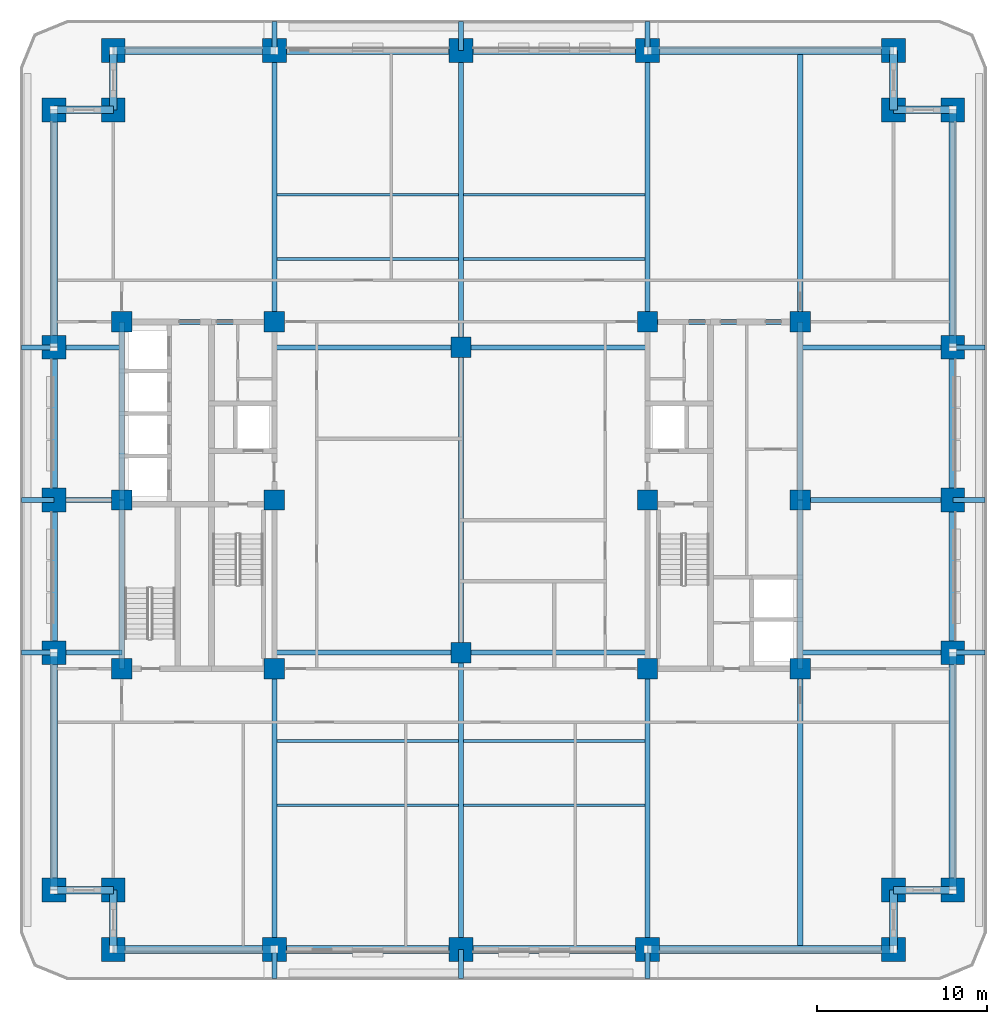
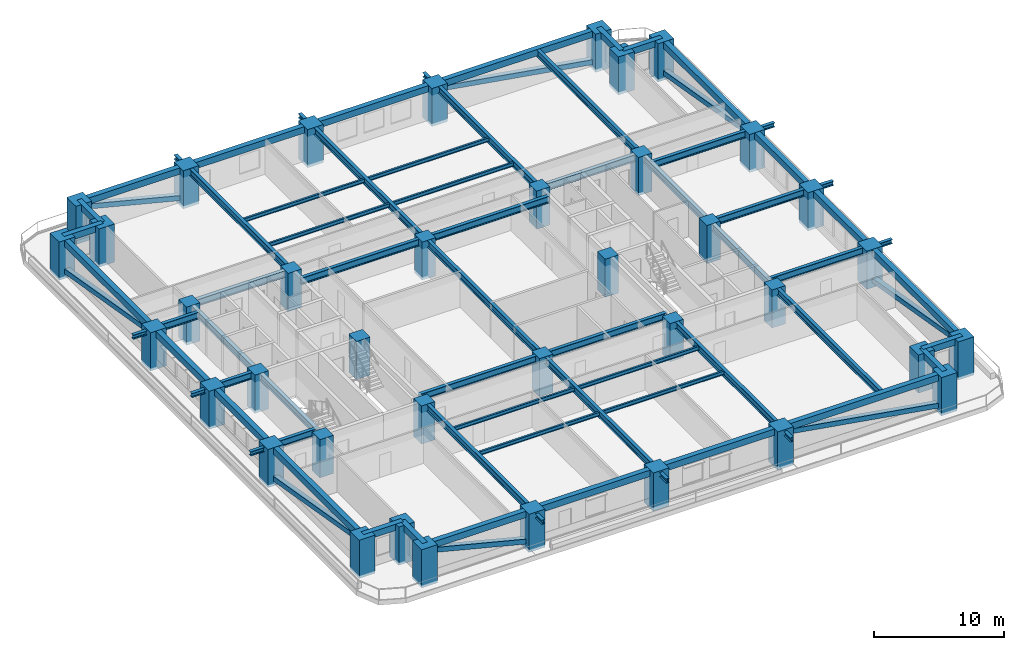
# One storey, part 1 of 14: 69 beams, 38 columns, 8 members.
"""IFC4 building model written with IfcOpenShell, lengths in metres."""

from ifc_helpers import new_model, si_unit, direction, frame, origin, origin_2d, place, context, subcontext, project, spatial, rectangle, hollow_rectangle, i_section, extrude, material, material_profile, profile_set, type_object, element, save


model = new_model("IFC4")

# Units and contexts
model_context = context("Model", 3, precision=1e-05, world=origin(), true_north=direction((0.0, 1.0)))
body_context = subcontext(model_context, "Body", "Model", "MODEL_VIEW")
ifc_project = project(units=[si_unit("LENGTHUNIT", "METRE"), si_unit("AREAUNIT", "SQUARE_METRE"), si_unit("VOLUMEUNIT", "CUBIC_METRE"), si_unit("PLANEANGLEUNIT", "RADIAN"), si_unit("MASSUNIT", "GRAM", prefix="KILO")], contexts=[model_context])

# Site, building, storey
site_placement = place(None, origin())
site = spatial("IfcSite", under=ifc_project, at=site_placement, CompositionType="ELEMENT")
building_placement = place(site_placement, origin())
building = spatial("IfcBuilding", under=site, at=building_placement, Name="Zulmaris Gate Convention Tower", CompositionType="ELEMENT")
storey_placement = place(building_placement, frame((0.0, 0.0, 41.47998046875)))
storey = spatial("IfcBuildingStorey", under=building, at=storey_placement, Name="L09", CompositionType="ELEMENT", Elevation=41.47998046875)

# Columns
ifc_material_1 = material(Name="Concrete C70/85", Category="concrete")
ifc_material_profile_1 = material_profile(ifc_material_1, rectangle(XDim=1.199951171875, YDim=1.199951171875, at=origin_2d()), Name="RC COL 1200x1200")
ifc_profile_set_1 = profile_set([ifc_material_profile_1], Name="Concrete C70/85")
column_type_1 = type_object("IfcColumnType", Name="COL-RC1200", PredefinedType="COLUMN", material=ifc_profile_set_1)
for number, where, z_axis, x_axis, name in (
    (1, (-20.0, -9.949951171875, -0.25), (0.0, 0.0, 1.0), (1.0, 0.0, 0.0), "L09 Column IN--20.00_-9.95"),
    (2, (-20.0, 10.5, -0.25), (0.0, 0.0, 1.0), (1.0, 0.0, 0.0), "L09 Column IN--20.00_+10.50"),
    (3, (-11.0, -9.949951171875, -0.25), (0.0, 0.0, 1.0), (1.0, 0.0, 0.0), "L09 Column IN--11.00_-9.95"),
    (4, (-11.0, 0.0, -0.25), (0.0, 0.0, 1.0), (1.0, 0.0, 0.0), "L09 Column IN--11.00_+0.00"),
    (5, (-11.0, 10.5, -0.25), (0.0, 0.0, 1.0), (1.0, 0.0, 0.0), "L09 Column IN--11.00_+10.50"),
    (6, (11.0, -9.949951171875, -0.25), (0.0, 0.0, 1.0), (1.0, 0.0, 0.0), "L09 Column IN-+11.00_-9.95"),
    (7, (11.0, 0.0, -0.25), (0.0, 0.0, 1.0), (1.0, 0.0, 0.0), "L09 Column IN-+11.00_+0.00"),
    (8, (11.0, 10.5, -0.25), (0.0, 0.0, 1.0), (1.0, 0.0, 0.0), "L09 Column IN-+11.00_+10.50"),
    (9, (20.0, -9.949951171875, -0.25), (0.0, 0.0, 1.0), (1.0, 0.0, 0.0), "L09 Column IN-+20.00_-9.95"),
    (10, (20.0, 10.5, -0.25), (0.0, 0.0, 1.0), (1.0, 0.0, 0.0), "L09 Column IN-+20.00_+10.50"),
    (11, (0.0, -9.0, -0.25), (0.0, 0.0, 1.0), (1.0, 0.0, 0.0), "L09 Column IN-+0.00_-9.00"),
    (12, (0.0, 9.0, -0.25), (0.0, 0.0, 1.0), (1.0, 0.0, 0.0), "L09 Column IN-+0.00_+9.00"),
    (13, (-20.0, 0.0, -0.25), (0.0, 0.0, 1.0), (1.0, 0.0, 0.0), "L09 Column IN--20.00_+0.00"),
    (14, (20.0, 0.0, -0.25), (0.0, 0.0, 1.0), (1.0, 0.0, 0.0), "L09 Column IN-+20.00_+0.00"),
):
    element("IfcColumn", number, at=place(storey_placement, frame(where, z_axis=z_axis, x_axis=x_axis)), inside=storey, type_object=column_type_1, Name=name, PredefinedType="COLUMN", context=body_context, shape_type="SweptSolid", body=[
        extrude(rectangle(XDim=1.199951171875, YDim=1.199951171875, at=origin_2d()), origin(), (0.0, 0.0, 1.0), 3.570068359375),
    ])
ifc_material_2 = material(Name="Concrete C80/95", Category="concrete")
ifc_material_profile_2 = material_profile(ifc_material_2, rectangle(XDim=1.39990234375, YDim=1.39990234375, at=origin_2d()), Name="RC COL 1400x1400")
ifc_profile_set_2 = profile_set([ifc_material_profile_2], Name="Concrete C80/95")
column_type_2 = type_object("IfcColumnType", Name="COL-RC1400", PredefinedType="COLUMN", material=ifc_profile_set_2)
for number, where, z_axis, x_axis, name in (
    (15, (-20.5, -26.5, -0.25), (0.0, 0.0, 1.0), (1.0, 0.0, 0.0), "L09 Column PT--20.50_-26.50"),
    (16, (-11.0, -26.5, -0.25), (0.0, 0.0, 1.0), (1.0, 0.0, 0.0), "L09 Column PT--11.00_-26.50"),
    (17, (0.0, -26.5, -0.25), (0.0, 0.0, 1.0), (1.0, 0.0, 0.0), "L09 Column PT-+0.00_-26.50"),
    (18, (11.0, -26.5, -0.25), (0.0, 0.0, 1.0), (1.0, 0.0, 0.0), "L09 Column PT-+11.00_-26.50"),
    (19, (25.5, -26.5, -0.25), (0.0, 0.0, 1.0), (1.0, 0.0, 0.0), "L09 Column PT-+25.50_-26.50"),
    (20, (-20.5, 26.5, -0.25), (0.0, 0.0, 1.0), (1.0, 0.0, 0.0), "L09 Column PT--20.50_+26.50"),
    (21, (-11.0, 26.5, -0.25), (0.0, 0.0, 1.0), (1.0, 0.0, 0.0), "L09 Column PT--11.00_+26.50"),
    (22, (0.0, 26.5, -0.25), (0.0, 0.0, 1.0), (1.0, 0.0, 0.0), "L09 Column PT-+0.00_+26.50"),
    (23, (11.0, 26.5, -0.25), (0.0, 0.0, 1.0), (1.0, 0.0, 0.0), "L09 Column PT-+11.00_+26.50"),
    (24, (25.5, 26.5, -0.25), (0.0, 0.0, 1.0), (1.0, 0.0, 0.0), "L09 Column PT-+25.50_+26.50"),
    (25, (-24.0, -23.0, -0.25), (0.0, 0.0, 1.0), (1.0, 0.0, 0.0), "L09 Column PT--24.00_-23.00"),
    (26, (-24.0, -9.0, -0.25), (0.0, 0.0, 1.0), (1.0, 0.0, 0.0), "L09 Column PT--24.00_-9.00"),
    (27, (-24.0, 0.0, -0.25), (0.0, 0.0, 1.0), (1.0, 0.0, 0.0), "L09 Column PT--24.00_+0.00"),
    (28, (-24.0, 9.0, -0.25), (0.0, 0.0, 1.0), (1.0, 0.0, 0.0), "L09 Column PT--24.00_+9.00"),
    (29, (-24.0, 23.0, -0.25), (0.0, 0.0, 1.0), (1.0, 0.0, 0.0), "L09 Column PT--24.00_+23.00"),
    (30, (29.0, -23.0, -0.25), (0.0, 0.0, 1.0), (1.0, 0.0, 0.0), "L09 Column PT-+29.00_-23.00"),
    (31, (29.0, -9.0, -0.25), (0.0, 0.0, 1.0), (1.0, 0.0, 0.0), "L09 Column PT-+29.00_-9.00"),
    (32, (29.0, 0.0, -0.25), (0.0, 0.0, 1.0), (1.0, 0.0, 0.0), "L09 Column PT-+29.00_+0.00"),
    (33, (29.0, 9.0, -0.25), (0.0, 0.0, 1.0), (1.0, 0.0, 0.0), "L09 Column PT-+29.00_+9.00"),
    (34, (29.0, 23.0, -0.25), (0.0, 0.0, 1.0), (1.0, 0.0, 0.0), "L09 Column PT-+29.00_+23.00"),
    (35, (-20.5, -23.0, -0.25), (0.0, 0.0, 1.0), (1.0, 0.0, 0.0), "L09 Column PT--20.50_-23.00"),
    (36, (25.5, -23.0, -0.25), (0.0, 0.0, 1.0), (1.0, 0.0, 0.0), "L09 Column PT-+25.50_-23.00"),
    (37, (25.5, 23.0, -0.25), (0.0, 0.0, 1.0), (1.0, 0.0, 0.0), "L09 Column PT-+25.50_+23.00"),
    (38, (-20.5, 23.0, -0.25), (0.0, 0.0, 1.0), (1.0, 0.0, 0.0), "L09 Column PT--20.50_+23.00"),
):
    element("IfcColumn", number, at=place(storey_placement, frame(where, z_axis=z_axis, x_axis=x_axis)), inside=storey, type_object=column_type_2, Name=name, PredefinedType="COLUMN", context=body_context, shape_type="SweptSolid", body=[
        extrude(rectangle(XDim=1.39990234375, YDim=1.39990234375, at=origin_2d()), origin(), (0.0, 0.0, 1.0), 3.570068359375),
    ])

# Beams
ifc_material_3 = material(Name="Steel S355", Category="steel")
ifc_material_profile_3 = material_profile(ifc_material_3, i_section(OverallWidth=0.300048828125, OverallDepth=0.39990234375, WebThickness=0.013427734375, FlangeThickness=0.02392578125, FilletRadius=0.027099609375, at=origin_2d()), Name="HEB 400")
ifc_profile_set_3 = profile_set([ifc_material_profile_3], Name="Steel S355")
beam_type_1 = type_object("IfcBeamType", Name="BM-HEB400", PredefinedType="BEAM", material=ifc_profile_set_3)
for number, where, z_axis, x_axis, name in (
    (39, (-11.0, -28.199951171875, 2.97998046875), (0.0, 1.0, 0.0), (-1.0, 0.0, 0.0), "L09 Beam TBRK-L09-S--11"),
    (40, (-11.0, 26.5, 2.97998046875), (0.0, 1.0, 0.0), (-1.0, 0.0, 0.0), "L09 Beam TBRK-L09-N--11"),
    (41, (0.0, -28.199951171875, 2.97998046875), (0.0, 1.0, 0.0), (-1.0, 0.0, 0.0), "L09 Beam TBRK-L09-S-+0"),
    (42, (0.0, 26.5, 2.97998046875), (0.0, 1.0, 0.0), (-1.0, 0.0, 0.0), "L09 Beam TBRK-L09-N-+0"),
    (43, (11.0, -28.199951171875, 2.97998046875), (0.0, 1.0, 0.0), (-1.0, 0.0, 0.0), "L09 Beam TBRK-L09-S-+11"),
    (44, (11.0, 26.5, 2.97998046875), (0.0, 1.0, 0.0), (-1.0, 0.0, 0.0), "L09 Beam TBRK-L09-N-+11"),
):
    element("IfcBeam", number, at=place(storey_placement, frame(where, z_axis=z_axis, x_axis=x_axis)), inside=storey, type_object=beam_type_1, Name=name, PredefinedType="BEAM", context=body_context, shape_type="SweptSolid", body=[
        extrude(i_section(OverallWidth=0.300048828125, OverallDepth=0.39990234375, WebThickness=0.013427734375, FlangeThickness=0.02392578125, FilletRadius=0.027099609375, at=origin_2d()), origin(), (0.0, 0.0, 1.0), 1.699951171875),
    ])
for number, where, z_axis, x_axis, name in (
    (45, (-25.89990234375, -9.0, 2.97998046875), (1.0, 0.0, 0.0), (0.0, 1.0, 0.0), "L09 Beam TBRK-L09-W--9"),
    (46, (29.0, -9.0, 2.97998046875), (1.0, 0.0, 0.0), (0.0, 1.0, 0.0), "L09 Beam TBRK-L09-E--9"),
    (47, (-25.89990234375, 0.0, 2.97998046875), (1.0, 0.0, 0.0), (0.0, 1.0, 0.0), "L09 Beam TBRK-L09-W-+0"),
    (48, (29.0, 0.0, 2.97998046875), (1.0, 0.0, 0.0), (0.0, 1.0, 0.0), "L09 Beam TBRK-L09-E-+0"),
    (49, (-25.89990234375, 9.0, 2.97998046875), (1.0, 0.0, 0.0), (0.0, 1.0, 0.0), "L09 Beam TBRK-L09-W-+9"),
    (50, (29.0, 9.0, 2.97998046875), (1.0, 0.0, 0.0), (0.0, 1.0, 0.0), "L09 Beam TBRK-L09-E-+9"),
):
    element("IfcBeam", number, at=place(storey_placement, frame(where, z_axis=z_axis, x_axis=x_axis)), inside=storey, type_object=beam_type_1, Name=name, PredefinedType="BEAM", context=body_context, shape_type="SweptSolid", body=[
        extrude(i_section(OverallWidth=0.300048828125, OverallDepth=0.39990234375, WebThickness=0.013427734375, FlangeThickness=0.02392578125, FilletRadius=0.027099609375, at=origin_2d()), origin(), (0.0, 0.0, 1.0), 1.89990234375),
    ])
ifc_material_profile_4 = material_profile(ifc_material_3, i_section(OverallWidth=0.300048828125, OverallDepth=0.64990234375, WebThickness=0.01611328125, FlangeThickness=0.031005859375, FilletRadius=0.027099609375, at=origin_2d()), Name="HEB 650")
ifc_profile_set_4 = profile_set([ifc_material_profile_4], Name="Steel S355")
beam_type_2 = type_object("IfcBeamType", Name="BM-HEB650", PredefinedType="BEAM", material=ifc_profile_set_4)
for number, where, z_axis, x_axis, name in (
    (51, (-11.0, -9.0, 2.992919921875), (1.0, 0.0, 0.0), (0.0, 1.0, 0.0), "L09 Beam BM-L09-G01"),
    (52, (0.0, -9.0, 2.992919921875), (1.0, 0.0, 0.0), (0.0, 1.0, 0.0), "L09 Beam BM-L09-G02"),
    (53, (-11.0, 9.0, 2.992919921875), (1.0, 0.0, 0.0), (0.0, 1.0, 0.0), "L09 Beam BM-L09-G03"),
    (54, (0.0, 9.0, 2.992919921875), (1.0, 0.0, 0.0), (0.0, 1.0, 0.0), "L09 Beam BM-L09-G04"),
):
    element("IfcBeam", number, at=place(storey_placement, frame(where, z_axis=z_axis, x_axis=x_axis)), inside=storey, type_object=beam_type_2, Name=name, PredefinedType="BEAM", context=body_context, shape_type="SweptSolid", body=[
        extrude(i_section(OverallWidth=0.300048828125, OverallDepth=0.64990234375, WebThickness=0.01611328125, FlangeThickness=0.031005859375, FilletRadius=0.027099609375, at=origin_2d()), origin(), (0.0, 0.0, 1.0), 11.0),
    ])
beam_1_placement = place(storey_placement, frame((0.0, -26.5, 2.992919921875), z_axis=(0.0, 1.0, 0.0), x_axis=(-1.0, 0.0, 0.0)))
element("IfcBeam", 55, at=beam_1_placement, inside=storey, type_object=beam_type_2, Name="L09 Beam BM-L09-G05", PredefinedType="BEAM", context=body_context, shape_type="SweptSolid", body=[
    extrude(i_section(OverallWidth=0.300048828125, OverallDepth=0.64990234375, WebThickness=0.01611328125, FlangeThickness=0.031005859375, FilletRadius=0.027099609375, at=origin_2d()), origin(), (0.0, 0.0, 1.0), 17.5),
])
beam_2_placement = place(storey_placement, frame((0.0, -9.0, 2.992919921875), z_axis=(0.0, 1.0, 0.0), x_axis=(-1.0, 0.0, 0.0)))
element("IfcBeam", 56, at=beam_2_placement, inside=storey, type_object=beam_type_2, Name="L09 Beam BM-L09-G06", PredefinedType="BEAM", context=body_context, shape_type="SweptSolid", body=[
    extrude(i_section(OverallWidth=0.300048828125, OverallDepth=0.64990234375, WebThickness=0.01611328125, FlangeThickness=0.031005859375, FilletRadius=0.027099609375, at=origin_2d()), origin(), (0.0, 0.0, 1.0), 18.0),
])
beam_3_placement = place(storey_placement, frame((0.0, 9.0, 2.992919921875), z_axis=(0.0, 1.0, 0.0), x_axis=(-1.0, 0.0, 0.0)))
element("IfcBeam", 57, at=beam_3_placement, inside=storey, type_object=beam_type_2, Name="L09 Beam BM-L09-G07", PredefinedType="BEAM", context=body_context, shape_type="SweptSolid", body=[
    extrude(i_section(OverallWidth=0.300048828125, OverallDepth=0.64990234375, WebThickness=0.01611328125, FlangeThickness=0.031005859375, FilletRadius=0.027099609375, at=origin_2d()), origin(), (0.0, 0.0, 1.0), 17.5),
])
beam_4_placement = place(storey_placement, frame((-11.0, -26.5, 2.992919921875), z_axis=(0.0, 1.0, 0.0), x_axis=(-1.0, 0.0, 0.0)))
element("IfcBeam", 58, at=beam_4_placement, inside=storey, type_object=beam_type_2, Name="L09 Beam BM-L09-G08", PredefinedType="BEAM", context=body_context, shape_type="SweptSolid", body=[
    extrude(i_section(OverallWidth=0.300048828125, OverallDepth=0.64990234375, WebThickness=0.01611328125, FlangeThickness=0.031005859375, FilletRadius=0.027099609375, at=origin_2d()), origin(), (0.0, 0.0, 1.0), 16.550048828125),
])
beam_5_placement = place(storey_placement, frame((-11.0, 10.5, 2.992919921875), z_axis=(0.0, 1.0, 0.0), x_axis=(-1.0, 0.0, 0.0)))
element("IfcBeam", 59, at=beam_5_placement, inside=storey, type_object=beam_type_2, Name="L09 Beam BM-L09-G09", PredefinedType="BEAM", context=body_context, shape_type="SweptSolid", body=[
    extrude(i_section(OverallWidth=0.300048828125, OverallDepth=0.64990234375, WebThickness=0.01611328125, FlangeThickness=0.031005859375, FilletRadius=0.027099609375, at=origin_2d()), origin(), (0.0, 0.0, 1.0), 16.0),
])
beam_6_placement = place(storey_placement, frame((11.0, -26.5, 2.992919921875), z_axis=(0.0, 1.0, 0.0), x_axis=(-1.0, 0.0, 0.0)))
element("IfcBeam", 60, at=beam_6_placement, inside=storey, type_object=beam_type_2, Name="L09 Beam BM-L09-G10", PredefinedType="BEAM", context=body_context, shape_type="SweptSolid", body=[
    extrude(i_section(OverallWidth=0.300048828125, OverallDepth=0.64990234375, WebThickness=0.01611328125, FlangeThickness=0.031005859375, FilletRadius=0.027099609375, at=origin_2d()), origin(), (0.0, 0.0, 1.0), 16.550048828125),
])
beam_7_placement = place(storey_placement, frame((11.0, 10.5, 2.992919921875), z_axis=(0.0, 1.0, 0.0), x_axis=(-1.0, 0.0, 0.0)))
element("IfcBeam", 61, at=beam_7_placement, inside=storey, type_object=beam_type_2, Name="L09 Beam BM-L09-G11", PredefinedType="BEAM", context=body_context, shape_type="SweptSolid", body=[
    extrude(i_section(OverallWidth=0.300048828125, OverallDepth=0.64990234375, WebThickness=0.01611328125, FlangeThickness=0.031005859375, FilletRadius=0.027099609375, at=origin_2d()), origin(), (0.0, 0.0, 1.0), 16.0),
])
beam_8_placement = place(storey_placement, frame((20.0, -26.5, 2.992919921875), z_axis=(0.0, 1.0, 0.0), x_axis=(-1.0, 0.0, 0.0)))
element("IfcBeam", 62, at=beam_8_placement, inside=storey, type_object=beam_type_2, Name="L09 Beam BM-L09-G14", PredefinedType="BEAM", context=body_context, shape_type="SweptSolid", body=[
    extrude(i_section(OverallWidth=0.300048828125, OverallDepth=0.64990234375, WebThickness=0.01611328125, FlangeThickness=0.031005859375, FilletRadius=0.027099609375, at=origin_2d()), origin(), (0.0, 0.0, 1.0), 16.550048828125),
])
beam_9_placement = place(storey_placement, frame((20.0, 10.5, 2.992919921875), z_axis=(0.0, 1.0, 0.0), x_axis=(-1.0, 0.0, 0.0)))
element("IfcBeam", 63, at=beam_9_placement, inside=storey, type_object=beam_type_2, Name="L09 Beam BM-L09-G15", PredefinedType="BEAM", context=body_context, shape_type="SweptSolid", body=[
    extrude(i_section(OverallWidth=0.300048828125, OverallDepth=0.64990234375, WebThickness=0.01611328125, FlangeThickness=0.031005859375, FilletRadius=0.027099609375, at=origin_2d()), origin(), (0.0, 0.0, 1.0), 16.0),
])
for number, where, z_axis, x_axis, name in (
    (64, (-24.0, -9.0, 2.992919921875), (1.0, 0.0, 0.0), (0.0, 1.0, 0.0), "L09 Beam BM-L09-G16"),
    (65, (-24.0, 0.0, 2.992919921875), (1.0, 0.0, 0.0), (0.0, 1.0, 0.0), "L09 Beam BM-L09-G17"),
    (66, (-24.0, 9.0, 2.992919921875), (1.0, 0.0, 0.0), (0.0, 1.0, 0.0), "L09 Beam BM-L09-G18"),
):
    element("IfcBeam", number, at=place(storey_placement, frame(where, z_axis=z_axis, x_axis=x_axis)), inside=storey, type_object=beam_type_2, Name=name, PredefinedType="BEAM", context=body_context, shape_type="SweptSolid", body=[
        extrude(i_section(OverallWidth=0.300048828125, OverallDepth=0.64990234375, WebThickness=0.01611328125, FlangeThickness=0.031005859375, FilletRadius=0.027099609375, at=origin_2d()), origin(), (0.0, 0.0, 1.0), 4.0),
    ])
for number, where, z_axis, x_axis, name in (
    (67, (20.0, -9.0, 2.992919921875), (1.0, 0.0, 0.0), (0.0, 1.0, 0.0), "L09 Beam BM-L09-G19"),
    (68, (20.0, 0.0, 2.992919921875), (1.0, 0.0, 0.0), (0.0, 1.0, 0.0), "L09 Beam BM-L09-G20"),
    (69, (20.0, 9.0, 2.992919921875), (1.0, 0.0, 0.0), (0.0, 1.0, 0.0), "L09 Beam BM-L09-G21"),
    (70, (-20.0, 10.5, 2.992919921875), (1.0, 0.0, 0.0), (0.0, 1.0, 0.0), "L09 Beam BM-L09-G23"),
    (71, (11.0, 10.5, 2.992919921875), (1.0, 0.0, 0.0), (0.0, 1.0, 0.0), "L09 Beam BM-L09-G25"),
):
    element("IfcBeam", number, at=place(storey_placement, frame(where, z_axis=z_axis, x_axis=x_axis)), inside=storey, type_object=beam_type_2, Name=name, PredefinedType="BEAM", context=body_context, shape_type="SweptSolid", body=[
        extrude(i_section(OverallWidth=0.300048828125, OverallDepth=0.64990234375, WebThickness=0.01611328125, FlangeThickness=0.031005859375, FilletRadius=0.027099609375, at=origin_2d()), origin(), (0.0, 0.0, 1.0), 9.0),
    ])
beam_10_placement = place(storey_placement, frame((-20.0, -9.949951171875, 2.992919921875), z_axis=(0.0, 1.0, 0.0), x_axis=(-1.0, 0.0, 0.0)))
element("IfcBeam", 72, at=beam_10_placement, inside=storey, type_object=beam_type_2, Name="L09 Beam BM-L09-G26", PredefinedType="BEAM", context=body_context, shape_type="SweptSolid", body=[
    extrude(i_section(OverallWidth=0.300048828125, OverallDepth=0.64990234375, WebThickness=0.01611328125, FlangeThickness=0.031005859375, FilletRadius=0.027099609375, at=origin_2d()), origin(), (0.0, 0.0, 1.0), 9.949951171875),
])
beam_11_placement = place(storey_placement, frame((-20.0, 0.0, 2.992919921875), z_axis=(0.0, 1.0, 0.0), x_axis=(-1.0, 0.0, 0.0)))
element("IfcBeam", 73, at=beam_11_placement, inside=storey, type_object=beam_type_2, Name="L09 Beam BM-L09-G27", PredefinedType="BEAM", context=body_context, shape_type="SweptSolid", body=[
    extrude(i_section(OverallWidth=0.300048828125, OverallDepth=0.64990234375, WebThickness=0.01611328125, FlangeThickness=0.031005859375, FilletRadius=0.027099609375, at=origin_2d()), origin(), (0.0, 0.0, 1.0), 10.5),
])
beam_12_placement = place(storey_placement, frame((20.0, -9.949951171875, 2.992919921875), z_axis=(0.0, 1.0, 0.0), x_axis=(-1.0, 0.0, 0.0)))
element("IfcBeam", 74, at=beam_12_placement, inside=storey, type_object=beam_type_2, Name="L09 Beam BM-L09-G28", PredefinedType="BEAM", context=body_context, shape_type="SweptSolid", body=[
    extrude(i_section(OverallWidth=0.300048828125, OverallDepth=0.64990234375, WebThickness=0.01611328125, FlangeThickness=0.031005859375, FilletRadius=0.027099609375, at=origin_2d()), origin(), (0.0, 0.0, 1.0), 9.949951171875),
])
beam_13_placement = place(storey_placement, frame((20.0, 0.0, 2.992919921875), z_axis=(0.0, 1.0, 0.0), x_axis=(-1.0, 0.0, 0.0)))
element("IfcBeam", 75, at=beam_13_placement, inside=storey, type_object=beam_type_2, Name="L09 Beam BM-L09-G29", PredefinedType="BEAM", context=body_context, shape_type="SweptSolid", body=[
    extrude(i_section(OverallWidth=0.300048828125, OverallDepth=0.64990234375, WebThickness=0.01611328125, FlangeThickness=0.031005859375, FilletRadius=0.027099609375, at=origin_2d()), origin(), (0.0, 0.0, 1.0), 10.5),
])
ifc_material_4 = material(Name="Precast concrete C50/60", Category="concrete")
ifc_material_profile_5 = material_profile(ifc_material_4, rectangle(XDim=0.449951171875, YDim=0.60009765625, at=origin_2d()), Name="RC SPANDREL 450x600")
ifc_profile_set_5 = profile_set([ifc_material_profile_5], Name="Precast concrete C50/60")
beam_type_3 = type_object("IfcBeamType", Name="BM-SP450x600", PredefinedType="SPANDREL", material=ifc_profile_set_5)
beam_14_placement = place(storey_placement, frame((-20.5, -26.5, 3.02001953125), z_axis=(1.0, 0.0, 0.0), x_axis=(0.0, 1.0, 0.0)))
element("IfcBeam", 76, at=beam_14_placement, inside=storey, type_object=beam_type_3, Name="L09 Spandrel SP-L09-01", PredefinedType="SPANDREL", context=body_context, shape_type="SweptSolid", body=[
    extrude(rectangle(XDim=0.449951171875, YDim=0.60009765625, at=origin_2d()), origin(), (0.0, 0.0, 1.0), 9.5),
])
for number, where, z_axis, x_axis, name in (
    (77, (-11.0, -26.5, 3.02001953125), (1.0, 0.0, 0.0), (0.0, 1.0, 0.0), "L09 Spandrel SP-L09-02"),
    (78, (0.0, -26.5, 3.02001953125), (1.0, 0.0, 0.0), (0.0, 1.0, 0.0), "L09 Spandrel SP-L09-03"),
):
    element("IfcBeam", number, at=place(storey_placement, frame(where, z_axis=z_axis, x_axis=x_axis)), inside=storey, type_object=beam_type_3, Name=name, PredefinedType="SPANDREL", context=body_context, shape_type="SweptSolid", body=[
        extrude(rectangle(XDim=0.449951171875, YDim=0.60009765625, at=origin_2d()), origin(), (0.0, 0.0, 1.0), 11.0),
    ])
beam_15_placement = place(storey_placement, frame((11.0, -26.5, 3.02001953125), z_axis=(1.0, 0.0, 0.0), x_axis=(0.0, 1.0, 0.0)))
element("IfcBeam", 79, at=beam_15_placement, inside=storey, type_object=beam_type_3, Name="L09 Spandrel SP-L09-04", PredefinedType="SPANDREL", context=body_context, shape_type="SweptSolid", body=[
    extrude(rectangle(XDim=0.449951171875, YDim=0.60009765625, at=origin_2d()), origin(), (0.0, 0.0, 1.0), 14.5),
])
for number, where, z_axis, x_axis, name in (
    (80, (25.5, -26.5, 3.02001953125), (0.0, 1.0, 0.0), (-1.0, 0.0, 0.0), "L09 Spandrel SP-L09-05"),
    (81, (25.5, -23.0, 3.02001953125), (1.0, 0.0, 0.0), (0.0, 1.0, 0.0), "L09 Spandrel SP-L09-06"),
):
    element("IfcBeam", number, at=place(storey_placement, frame(where, z_axis=z_axis, x_axis=x_axis)), inside=storey, type_object=beam_type_3, Name=name, PredefinedType="SPANDREL", context=body_context, shape_type="SweptSolid", body=[
        extrude(rectangle(XDim=0.449951171875, YDim=0.60009765625, at=origin_2d()), origin(), (0.0, 0.0, 1.0), 3.5),
    ])
beam_16_placement = place(storey_placement, frame((29.0, -23.0, 3.02001953125), z_axis=(0.0, 1.0, 0.0), x_axis=(-1.0, 0.0, 0.0)))
element("IfcBeam", 82, at=beam_16_placement, inside=storey, type_object=beam_type_3, Name="L09 Spandrel SP-L09-07", PredefinedType="SPANDREL", context=body_context, shape_type="SweptSolid", body=[
    extrude(rectangle(XDim=0.449951171875, YDim=0.60009765625, at=origin_2d()), origin(), (0.0, 0.0, 1.0), 14.0),
])
for number, where, z_axis, x_axis, name in (
    (83, (29.0, -9.0, 3.02001953125), (0.0, 1.0, 0.0), (-1.0, 0.0, 0.0), "L09 Spandrel SP-L09-08"),
    (84, (29.0, 0.0, 3.02001953125), (0.0, 1.0, 0.0), (-1.0, 0.0, 0.0), "L09 Spandrel SP-L09-09"),
):
    element("IfcBeam", number, at=place(storey_placement, frame(where, z_axis=z_axis, x_axis=x_axis)), inside=storey, type_object=beam_type_3, Name=name, PredefinedType="SPANDREL", context=body_context, shape_type="SweptSolid", body=[
        extrude(rectangle(XDim=0.449951171875, YDim=0.60009765625, at=origin_2d()), origin(), (0.0, 0.0, 1.0), 9.0),
    ])
beam_17_placement = place(storey_placement, frame((29.0, 9.0, 3.02001953125), z_axis=(0.0, 1.0, 0.0), x_axis=(-1.0, 0.0, 0.0)))
element("IfcBeam", 85, at=beam_17_placement, inside=storey, type_object=beam_type_3, Name="L09 Spandrel SP-L09-10", PredefinedType="SPANDREL", context=body_context, shape_type="SweptSolid", body=[
    extrude(rectangle(XDim=0.449951171875, YDim=0.60009765625, at=origin_2d()), origin(), (0.0, 0.0, 1.0), 14.0),
])
for number, where, z_axis, x_axis, name in (
    (86, (29.0, 23.0, 3.02001953125), (-1.0, 0.0, 0.0), (0.0, -1.0, 0.0), "L09 Spandrel SP-L09-11"),
    (87, (25.5, 23.0, 3.02001953125), (0.0, 1.0, 0.0), (-1.0, 0.0, 0.0), "L09 Spandrel SP-L09-12"),
):
    element("IfcBeam", number, at=place(storey_placement, frame(where, z_axis=z_axis, x_axis=x_axis)), inside=storey, type_object=beam_type_3, Name=name, PredefinedType="SPANDREL", context=body_context, shape_type="SweptSolid", body=[
        extrude(rectangle(XDim=0.449951171875, YDim=0.60009765625, at=origin_2d()), origin(), (0.0, 0.0, 1.0), 3.5),
    ])
beam_18_placement = place(storey_placement, frame((25.5, 26.5, 3.02001953125), z_axis=(-1.0, 0.0, 0.0), x_axis=(0.0, -1.0, 0.0)))
element("IfcBeam", 88, at=beam_18_placement, inside=storey, type_object=beam_type_3, Name="L09 Spandrel SP-L09-13", PredefinedType="SPANDREL", context=body_context, shape_type="SweptSolid", body=[
    extrude(rectangle(XDim=0.449951171875, YDim=0.60009765625, at=origin_2d()), origin(), (0.0, 0.0, 1.0), 14.5),
])
for number, where, z_axis, x_axis, name in (
    (89, (11.0, 26.5, 3.02001953125), (-1.0, 0.0, 0.0), (0.0, -1.0, 0.0), "L09 Spandrel SP-L09-14"),
    (90, (0.0, 26.5, 3.02001953125), (-1.0, 0.0, 0.0), (0.0, -1.0, 0.0), "L09 Spandrel SP-L09-15"),
):
    element("IfcBeam", number, at=place(storey_placement, frame(where, z_axis=z_axis, x_axis=x_axis)), inside=storey, type_object=beam_type_3, Name=name, PredefinedType="SPANDREL", context=body_context, shape_type="SweptSolid", body=[
        extrude(rectangle(XDim=0.449951171875, YDim=0.60009765625, at=origin_2d()), origin(), (0.0, 0.0, 1.0), 11.0),
    ])
beam_19_placement = place(storey_placement, frame((-11.0, 26.5, 3.02001953125), z_axis=(-1.0, 0.0, 0.0), x_axis=(0.0, -1.0, 0.0)))
element("IfcBeam", 91, at=beam_19_placement, inside=storey, type_object=beam_type_3, Name="L09 Spandrel SP-L09-16", PredefinedType="SPANDREL", context=body_context, shape_type="SweptSolid", body=[
    extrude(rectangle(XDim=0.449951171875, YDim=0.60009765625, at=origin_2d()), origin(), (0.0, 0.0, 1.0), 9.5),
])
for number, where, z_axis, x_axis, name in (
    (92, (-20.5, 26.5, 3.02001953125), (0.0, -1.0, 0.0), (1.0, 0.0, 0.0), "L09 Spandrel SP-L09-17"),
    (93, (-20.5, 23.0, 3.02001953125), (-1.0, 0.0, 0.0), (0.0, -1.0, 0.0), "L09 Spandrel SP-L09-18"),
):
    element("IfcBeam", number, at=place(storey_placement, frame(where, z_axis=z_axis, x_axis=x_axis)), inside=storey, type_object=beam_type_3, Name=name, PredefinedType="SPANDREL", context=body_context, shape_type="SweptSolid", body=[
        extrude(rectangle(XDim=0.449951171875, YDim=0.60009765625, at=origin_2d()), origin(), (0.0, 0.0, 1.0), 3.5),
    ])
beam_20_placement = place(storey_placement, frame((-24.0, 23.0, 3.02001953125), z_axis=(0.0, -1.0, 0.0), x_axis=(1.0, 0.0, 0.0)))
element("IfcBeam", 94, at=beam_20_placement, inside=storey, type_object=beam_type_3, Name="L09 Spandrel SP-L09-19", PredefinedType="SPANDREL", context=body_context, shape_type="SweptSolid", body=[
    extrude(rectangle(XDim=0.449951171875, YDim=0.60009765625, at=origin_2d()), origin(), (0.0, 0.0, 1.0), 14.0),
])
for number, where, z_axis, x_axis, name in (
    (95, (-24.0, 9.0, 3.02001953125), (0.0, -1.0, 0.0), (1.0, 0.0, 0.0), "L09 Spandrel SP-L09-20"),
    (96, (-24.0, 0.0, 3.02001953125), (0.0, -1.0, 0.0), (1.0, 0.0, 0.0), "L09 Spandrel SP-L09-21"),
):
    element("IfcBeam", number, at=place(storey_placement, frame(where, z_axis=z_axis, x_axis=x_axis)), inside=storey, type_object=beam_type_3, Name=name, PredefinedType="SPANDREL", context=body_context, shape_type="SweptSolid", body=[
        extrude(rectangle(XDim=0.449951171875, YDim=0.60009765625, at=origin_2d()), origin(), (0.0, 0.0, 1.0), 9.0),
    ])
beam_21_placement = place(storey_placement, frame((-24.0, -9.0, 3.02001953125), z_axis=(0.0, -1.0, 0.0), x_axis=(1.0, 0.0, 0.0)))
element("IfcBeam", 97, at=beam_21_placement, inside=storey, type_object=beam_type_3, Name="L09 Spandrel SP-L09-22", PredefinedType="SPANDREL", context=body_context, shape_type="SweptSolid", body=[
    extrude(rectangle(XDim=0.449951171875, YDim=0.60009765625, at=origin_2d()), origin(), (0.0, 0.0, 1.0), 14.0),
])
for number, where, z_axis, x_axis, name in (
    (98, (-24.0, -23.0, 3.02001953125), (1.0, 0.0, 0.0), (0.0, 1.0, 0.0), "L09 Spandrel SP-L09-23"),
    (99, (-20.5, -23.0, 3.02001953125), (0.0, -1.0, 0.0), (1.0, 0.0, 0.0), "L09 Spandrel SP-L09-24"),
):
    element("IfcBeam", number, at=place(storey_placement, frame(where, z_axis=z_axis, x_axis=x_axis)), inside=storey, type_object=beam_type_3, Name=name, PredefinedType="SPANDREL", context=body_context, shape_type="SweptSolid", body=[
        extrude(rectangle(XDim=0.449951171875, YDim=0.60009765625, at=origin_2d()), origin(), (0.0, 0.0, 1.0), 3.5),
    ])

# Members
ifc_material_5 = material(Name="Steel S460", Category="steel")
ifc_material_profile_6 = material_profile(ifc_material_5, hollow_rectangle(XDim=0.449951171875, YDim=0.449951171875, WallThickness=0.02490234375, at=origin_2d()), Name="SHS 450x450x25")
ifc_profile_set_6 = profile_set([ifc_material_profile_6], Name="Steel S460")
member_type = type_object("IfcMemberType", Name="BR-SHS450", PredefinedType="BRACE", material=ifc_profile_set_6)
for number, where, z_axis, x_axis, name in (
    (100, (-24.0, -9.0, 0.300048828125), (0.0, -0.985623399742, 0.168957136221), (1.0, 0.0, 0.0), "L09 Perimeter Tube Diagonal SW-W"),
    (101, (-24.0, 23.0, 0.300048828125), (0.0, -0.985623399742, 0.168957136221), (1.0, 0.0, 0.0), "L09 Perimeter Tube Diagonal NW-W"),
    (102, (29.0, -9.0, 0.300048828125), (0.0, -0.985623399742, 0.168957136221), (1.0, 0.0, 0.0), "L09 Perimeter Tube Diagonal SE-E"),
    (103, (29.0, 23.0, 0.300048828125), (0.0, -0.985623399742, 0.168957136221), (1.0, 0.0, 0.0), "L09 Perimeter Tube Diagonal NE-E"),
):
    element("IfcMember", number, at=place(storey_placement, frame(where, z_axis=z_axis, x_axis=x_axis)), inside=storey, type_object=member_type, Name=name, PredefinedType="BRACE", context=body_context, shape_type="SweptSolid", body=[
        extrude(hollow_rectangle(XDim=0.449951171875, YDim=0.449951171875, WallThickness=0.02490234375, at=origin_2d()), origin(), (0.0, 0.0, 1.0), 14.2041015625),
    ])
member_1_placement = place(storey_placement, frame((-11.0, -26.5, 0.300048828125), z_axis=(-0.969541561087, 0.0, 0.244926848928), x_axis=(0.0, -1.0, 0.0)))
element("IfcMember", 104, at=member_1_placement, inside=storey, type_object=member_type, Name="L09 Perimeter Tube Diagonal SW-S", PredefinedType="BRACE", context=body_context, shape_type="SweptSolid", body=[
    extrude(hollow_rectangle(XDim=0.449951171875, YDim=0.449951171875, WallThickness=0.02490234375, at=origin_2d()), origin(), (0.0, 0.0, 1.0), 9.79833984375),
])
member_2_placement = place(storey_placement, frame((25.5, -26.5, 0.300048828125), z_axis=(-0.986578268552, 0.0, 0.163289068896), x_axis=(0.0, -1.0, 0.0)))
element("IfcMember", 105, at=member_2_placement, inside=storey, type_object=member_type, Name="L09 Perimeter Tube Diagonal SE-S", PredefinedType="BRACE", context=body_context, shape_type="SweptSolid", body=[
    extrude(hollow_rectangle(XDim=0.449951171875, YDim=0.449951171875, WallThickness=0.02490234375, at=origin_2d()), origin(), (0.0, 0.0, 1.0), 14.697265625),
])
member_3_placement = place(storey_placement, frame((-11.0, 26.5, 0.300048828125), z_axis=(-0.969541561087, 0.0, 0.244926848928), x_axis=(0.0, -1.0, 0.0)))
element("IfcMember", 106, at=member_3_placement, inside=storey, type_object=member_type, Name="L09 Perimeter Tube Diagonal NW-N", PredefinedType="BRACE", context=body_context, shape_type="SweptSolid", body=[
    extrude(hollow_rectangle(XDim=0.449951171875, YDim=0.449951171875, WallThickness=0.02490234375, at=origin_2d()), origin(), (0.0, 0.0, 1.0), 9.79833984375),
])
member_4_placement = place(storey_placement, frame((25.5, 26.5, 0.300048828125), z_axis=(-0.986578268552, 0.0, 0.163289068896), x_axis=(0.0, -1.0, 0.0)))
element("IfcMember", 107, at=member_4_placement, inside=storey, type_object=member_type, Name="L09 Perimeter Tube Diagonal NE-N", PredefinedType="BRACE", context=body_context, shape_type="SweptSolid", body=[
    extrude(hollow_rectangle(XDim=0.449951171875, YDim=0.449951171875, WallThickness=0.02490234375, at=origin_2d()), origin(), (0.0, 0.0, 1.0), 14.697265625),
])

# Beams
ifc_material_profile_7 = material_profile(ifc_material_3, i_section(OverallWidth=0.169921875, OverallDepth=0.360107421875, WebThickness=0.008056640625, FlangeThickness=0.0126953125, FilletRadius=0.01806640625, at=origin_2d()), Name="IPE 360")
ifc_profile_set_7 = profile_set([ifc_material_profile_7], Name="Steel S355")
beam_type_4 = type_object("IfcBeamType", Name="JT-IPE360", PredefinedType="JOIST", material=ifc_profile_set_7)
for number, where, z_axis, x_axis, name in (
    (108, (-10.85009765625, -18.0, 3.137939453125), (1.0, 0.0, 0.0), (0.0, 1.0, 0.0), "L09 Joist JT-L09-CW--18.0"),
    (109, (0.14990234375, -18.0, 3.137939453125), (1.0, 0.0, 0.0), (0.0, 1.0, 0.0), "L09 Joist JT-L09-CE--18.0"),
    (110, (-10.85009765625, -14.199951171875, 3.137939453125), (1.0, 0.0, 0.0), (0.0, 1.0, 0.0), "L09 Joist JT-L09-CW--14.2"),
    (111, (0.14990234375, -14.199951171875, 3.137939453125), (1.0, 0.0, 0.0), (0.0, 1.0, 0.0), "L09 Joist JT-L09-CE--14.2"),
    (112, (-10.85009765625, 14.199951171875, 3.137939453125), (1.0, 0.0, 0.0), (0.0, 1.0, 0.0), "L09 Joist JT-L09-CW-+14.2"),
    (113, (0.14990234375, 14.199951171875, 3.137939453125), (1.0, 0.0, 0.0), (0.0, 1.0, 0.0), "L09 Joist JT-L09-CE-+14.2"),
    (114, (-10.85009765625, 18.0, 3.137939453125), (1.0, 0.0, 0.0), (0.0, 1.0, 0.0), "L09 Joist JT-L09-CW-+18.0"),
    (115, (0.14990234375, 18.0, 3.137939453125), (1.0, 0.0, 0.0), (0.0, 1.0, 0.0), "L09 Joist JT-L09-CE-+18.0"),
):
    element("IfcBeam", number, at=place(storey_placement, frame(where, z_axis=z_axis, x_axis=x_axis)), inside=storey, type_object=beam_type_4, Name=name, PredefinedType="JOIST", context=body_context, shape_type="SweptSolid", body=[
        extrude(i_section(OverallWidth=0.169921875, OverallDepth=0.360107421875, WebThickness=0.008056640625, FlangeThickness=0.0126953125, FilletRadius=0.01806640625, at=origin_2d()), origin(), (0.0, 0.0, 1.0), 10.7001953125),
    ])

save(model, "model.ifc")
